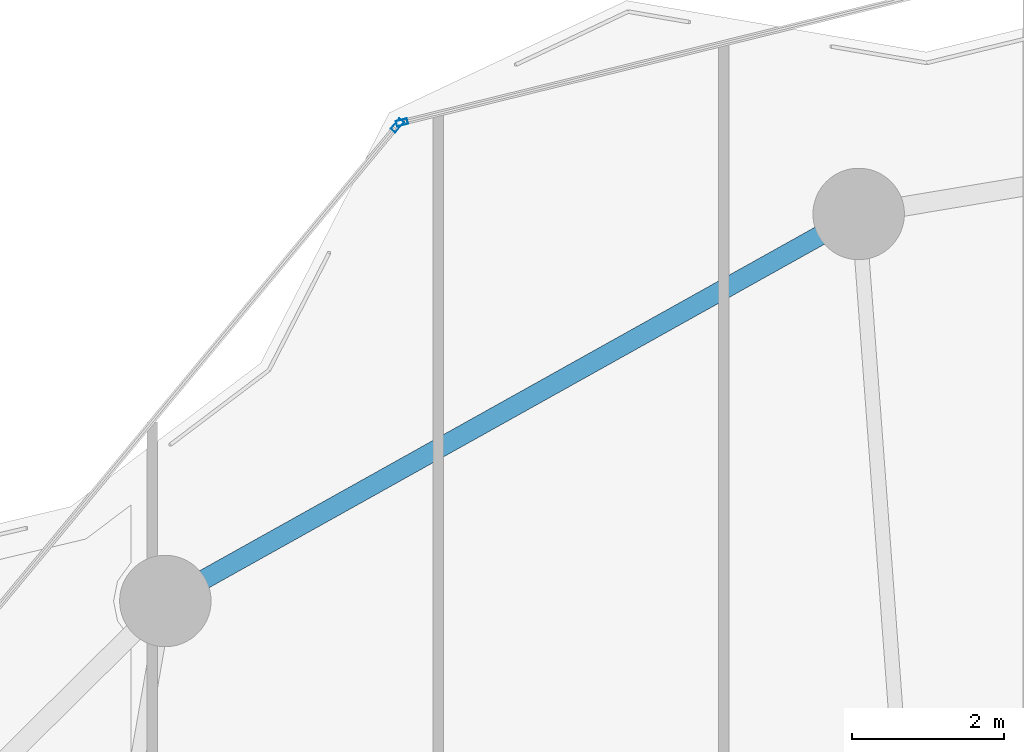
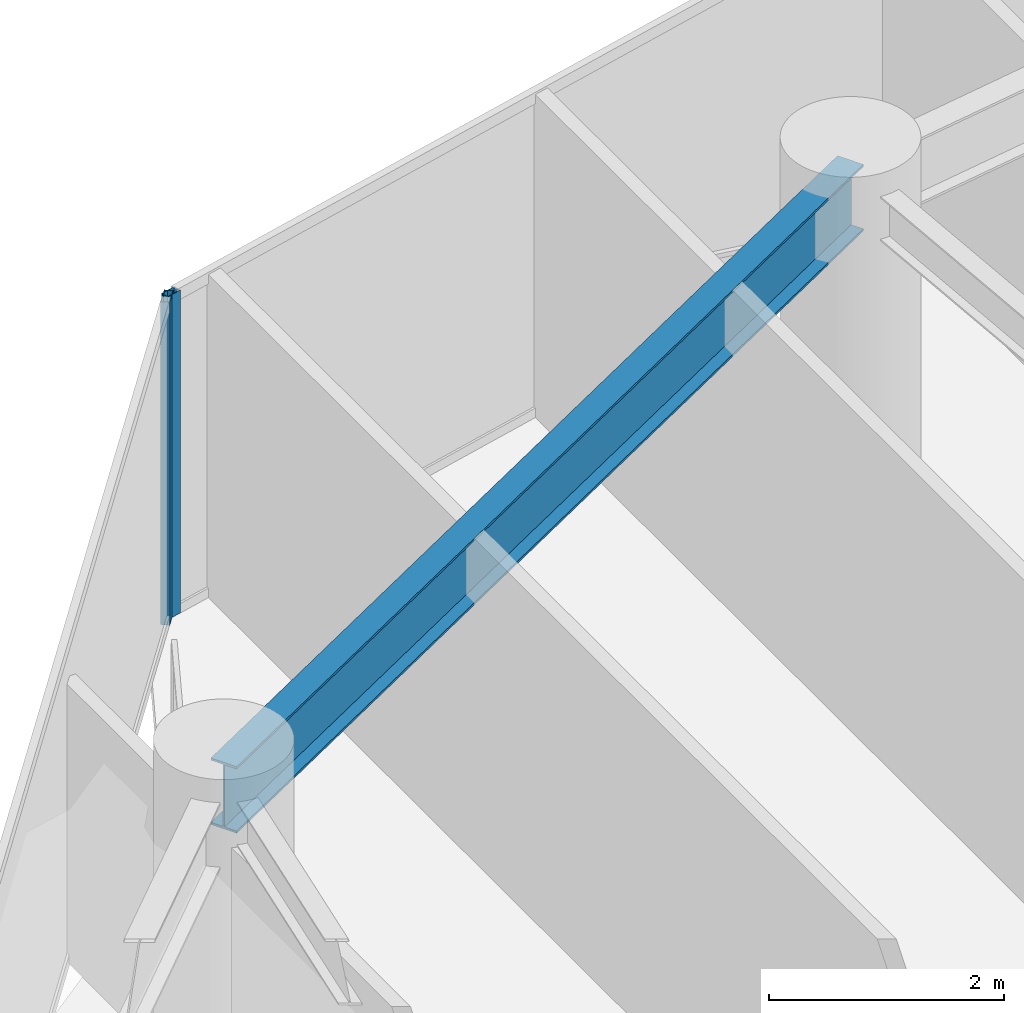
# One storey, part 17 of 28: 2 members, 1 beam, 2 elements without a shape of their own.
"""IFC4 building model written with IfcOpenShell, lengths in metres."""

import ifcopenshell
import ifcopenshell.guid

model = None  # the IFC model being written
_history = None  # IfcOwnerHistory: only IFC2X3 demands one
_inside = {}  # id of a spatial element -> (the spatial element, [elements in it])
_under = {}  # id of a project, library or spatial element -> (it, [spatial elements below it])
_declared = {}  # id of a project -> (the project, [libraries it declares])
_typed = {}  # id of a type object -> (the type object, [elements of that type])
_made_of = {}  # id of a material, layer set ... -> (it, [elements and type objects made of it])


def new_model(schema):
    """Start an empty IFC model of exactly this schema.

    Asked for "IFC4X3", IfcOpenShell would pick the latest addendum, in which some entities
    have other attributes; the version numbers below select the first issue.
    IFC2X3 requires an IfcOwnerHistory on every rooted entity: one is made here for all.
    """
    global model, _history
    if schema == "IFC4X3":
        model = ifcopenshell.file(schema_version=(4, 3, 0, 0))
    else:
        model = ifcopenshell.file(schema=schema)
    _inside.clear()
    _under.clear()
    _declared.clear()
    _typed.clear()
    _made_of.clear()
    _history = None
    if model.schema == "IFC2X3":
        org = make("IfcOrganization", Name="unknown")
        user = make(
            "IfcPersonAndOrganization",
            ThePerson=make("IfcPerson", FamilyName="unknown"),
            TheOrganization=org,
        )
        app = make(
            "IfcApplication",
            ApplicationDeveloper=org,
            Version="unknown",
            ApplicationFullName="unknown",
            ApplicationIdentifier="unknown",
        )
        _history = make(
            "IfcOwnerHistory",
            OwningUser=user,
            OwningApplication=app,
            ChangeAction="ADDED",
            CreationDate=0,
        )
    return model


def make(cls, **values):
    """One entity of the class cls with the attributes given. An attribute that is None is left unset."""
    return model.create_entity(
        cls, **{name: value for name, value in values.items() if value is not None}
    )


def rooted(cls, **values):
    """An entity with a GlobalId (a new one), such as an element, a storey or a relation."""
    return make(cls, GlobalId=ifcopenshell.guid.new(), OwnerHistory=_history, **values)


def si_unit(unit_type, name, prefix=None):
    """IfcSIUnit, for example si_unit("LENGTHUNIT", "METRE", prefix="MILLI")."""
    return make("IfcSIUnit", UnitType=unit_type, Prefix=prefix, Name=name)


def assignment(units):
    """IfcUnitAssignment: the units of a project."""
    return None if units is None else make("IfcUnitAssignment", Units=units)


def point(xyz):
    """IfcCartesianPoint."""
    return None if xyz is None else make("IfcCartesianPoint", Coordinates=xyz)


def direction(xyz):
    """IfcDirection."""
    return None if xyz is None else make("IfcDirection", DirectionRatios=xyz)


def frame(location, z_axis=None, x_axis=None):
    """IfcAxis2Placement3D, a coordinate frame: its origin and axes. An axis left out is left unset."""
    return make(
        "IfcAxis2Placement3D",
        Location=point(location),
        Axis=direction(z_axis),
        RefDirection=direction(x_axis),
    )


def frame_2d(location, x_axis=None):
    """IfcAxis2Placement2D, a coordinate frame in the plane: its origin and x axis."""
    return make(
        "IfcAxis2Placement2D", Location=point(location), RefDirection=direction(x_axis)
    )


def origin():
    """The frame at (0, 0, 0) with its axes left unset."""
    return frame((0.0, 0.0, 0.0))


def origin_2d():
    """The frame at (0, 0) in the plane with its x axis left unset."""
    return frame_2d((0.0, 0.0))


def place(relative_to, where):
    """IfcLocalPlacement: puts the frame where relative to a parent placement (None: the world)."""
    return make(
        "IfcLocalPlacement", PlacementRelTo=relative_to, RelativePlacement=where
    )


def context(
    kind, dimensions, precision=None, world=None, true_north=None, identifier=None
):
    """IfcGeometricRepresentationContext, for example the 3D "Model" context."""
    return make(
        "IfcGeometricRepresentationContext",
        ContextIdentifier=identifier,
        ContextType=kind,
        CoordinateSpaceDimension=dimensions,
        Precision=precision,
        WorldCoordinateSystem=world,
        TrueNorth=true_north,
    )


def subcontext(parent, identifier, kind, view, scale=None):
    """IfcGeometricRepresentationSubContext, for example "Body" below "Model"."""
    return make(
        "IfcGeometricRepresentationSubContext",
        ContextIdentifier=identifier,
        ContextType=kind,
        ParentContext=parent,
        TargetScale=scale,
        TargetView=view,
    )


def project(units=None, contexts=None):
    """IfcProject with its units and contexts."""
    return rooted(
        "IfcProject",
        Name="project",
        RepresentationContexts=contexts,
        UnitsInContext=assignment(units),
    )


def spatial(cls, under=None, at=None, **own):
    """A site, building, storey or space (cls), placed at a placement, below another one or the project."""
    s = rooted(cls, ObjectPlacement=at, **own)
    if under is not None:
        _under.setdefault(under.id(), (under, []))[1].append(s)
    return s


def profile(cls, at=None, kind="AREA", **sizes):
    """A parametric profile (cls). Its sizes go by their IFC names, for example OverallWidth=200.0."""
    return make(cls, ProfileType=kind, Position=at, **sizes)


def hollow_rectangle(**sizes):
    """IfcRectangleHollowProfileDef."""
    return profile("IfcRectangleHollowProfileDef", **sizes)


def i_section(**sizes):
    """IfcIShapeProfileDef."""
    return profile("IfcIShapeProfileDef", **sizes)


def extrude(swept, where, along, depth):
    """IfcExtrudedAreaSolid: the profile swept, set in the frame where, extruded along a direction by depth."""
    return make(
        "IfcExtrudedAreaSolid",
        SweptArea=swept,
        Position=where,
        ExtrudedDirection=direction(along),
        Depth=depth,
    )


def shape(context_of_items, identifier, shape_type, items):
    """IfcShapeRepresentation: the items that make up one representation, for example the "Body"."""
    return make(
        "IfcShapeRepresentation",
        ContextOfItems=context_of_items,
        RepresentationIdentifier=identifier,
        RepresentationType=shape_type,
        Items=items,
    )


def material(Name=None, Category=None):
    """IfcMaterial."""
    return make("IfcMaterial", Name=Name, Category=Category)


def layer(
    of_material, thickness, ventilated=None, Name=None, Category=None, Priority=None
):
    """IfcMaterialLayer: one layer of a wall or slab, of a material (None: an air gap)."""
    return make(
        "IfcMaterialLayer",
        Material=of_material,
        LayerThickness=thickness,
        IsVentilated=ventilated,
        Name=Name,
        Category=Category,
        Priority=Priority,
    )


def layer_set(layers, Name=None):
    """IfcMaterialLayerSet."""
    return make("IfcMaterialLayerSet", MaterialLayers=layers, LayerSetName=Name)


def material_profile(
    of_material, cross_section, Name=None, Category=None, Priority=None
):
    """IfcMaterialProfile: a cross section and its material."""
    return make(
        "IfcMaterialProfile",
        Name=Name,
        Material=of_material,
        Profile=cross_section,
        Priority=Priority,
        Category=Category,
    )


def profile_set(profiles, Name=None, composite=None):
    """IfcMaterialProfileSet."""
    return make(
        "IfcMaterialProfileSet",
        Name=Name,
        MaterialProfiles=profiles,
        CompositeProfile=composite,
    )


def made_of(thing, what):
    """Note that an element or type object is made of a material, layer set ...; save() writes the relation."""
    if what is not None:
        _made_of.setdefault(what.id(), (what, []))[1].append(thing)
    return thing


def type_object(cls, material=None, **own):
    """A type object (cls), such as IfcWallType, which elements share."""
    return made_of(rooted(cls, **own), material)


def element(
    cls,
    number,
    at=None,
    inside=None,
    cuts=None,
    type_object=None,
    material=None,
    context=None,
    identifier="Body",
    shape_type=None,
    held_by="IfcProductDefinitionShape",
    body=None,
    shapes=None,
    **own,
):
    """One element of the class cls, such as IfcWall. Its Tag is "e" and its number.

    at: its placement. inside: the storey or other place that contains it. cuts: it is an
    opening in that element (IfcRelVoidsElement). A single representation is given by context,
    identifier, shape_type and body (its items); several are given by shapes. held_by: the class
    of the entity that holds the representations. save() writes the other relations.
    """
    e = rooted(cls, Tag="e%d" % number, ObjectPlacement=at, **own)
    if body is not None:
        shapes = [shape(context, identifier, shape_type, body)]
    if shapes is not None:
        e.Representation = make(held_by, Representations=shapes)
    if inside is not None:
        _inside.setdefault(inside.id(), (inside, []))[1].append(e)
    if cuts is not None:
        rooted(
            "IfcRelVoidsElement", RelatingBuildingElement=cuts, RelatedOpeningElement=e
        )
    if type_object is not None:
        _typed.setdefault(type_object.id(), (type_object, []))[1].append(e)
    return made_of(e, material)


def aggregate(whole, parts):
    """IfcRelAggregates: a whole, such as a stair, and the parts it consists of."""
    return rooted("IfcRelAggregates", RelatingObject=whole, RelatedObjects=parts)


def save(model, path):
    """Write the relations noted so far, then the file.

    IfcRelAggregates (storeys below a building ...), IfcRelContainedInSpatialStructure (elements
    in a storey), IfcRelDefinesByType, IfcRelAssociatesMaterial and IfcRelDeclares: one each for
    every whole, place, type object, material and project.
    """
    for whole, parts in _under.values():
        aggregate(whole, parts)
    for where, things in _inside.values():
        rooted(
            "IfcRelContainedInSpatialStructure",
            RelatedElements=things,
            RelatingStructure=where,
        )
    for kind, things in _typed.values():
        rooted("IfcRelDefinesByType", RelatedObjects=things, RelatingType=kind)
    for what, things in _made_of.values():
        rooted("IfcRelAssociatesMaterial", RelatedObjects=things, RelatingMaterial=what)
    for by, libraries in _declared.values():
        rooted("IfcRelDeclares", RelatingContext=by, RelatedDefinitions=libraries)
    model.write(path)


model = new_model("IFC4")

# Units and contexts
model_context = context("Model", 3, precision=1e-05, world=origin(), true_north=direction((0.0, 1.0)))
body_context = subcontext(model_context, "Body", "Model", "MODEL_VIEW")
ifc_project = project(units=[si_unit("LENGTHUNIT", "METRE"), si_unit("AREAUNIT", "SQUARE_METRE"), si_unit("VOLUMEUNIT", "CUBIC_METRE"), si_unit("PLANEANGLEUNIT", "RADIAN"), si_unit("MASSUNIT", "GRAM", prefix="KILO")], contexts=[model_context])

# Site, building, storey
site_placement = place(None, origin())
site = spatial("IfcSite", under=ifc_project, at=site_placement, CompositionType="ELEMENT")
building_placement = place(site_placement, origin())
building = spatial("IfcBuilding", under=site, at=building_placement, Name="Kazevale Care Tower and Concert Hall", CompositionType="ELEMENT")
storey_placement = place(building_placement, frame((0.0, 0.0, 120.60009765625)))
storey = spatial("IfcBuildingStorey", under=building, at=storey_placement, Name="L31", CompositionType="ELEMENT", Elevation=120.60009765625)

# Curtain wall, member
ifc_material_1 = material(Name="Aluminium 6063-T6 and Low-E Glass", Category="aluminium")
ifc_layer_1 = layer(ifc_material_1, 0.179931640625)
ifc_layer_set_1 = layer_set([ifc_layer_1], Name="Aluminium 6063-T6 and Low-E Glass")
curtain_wall_type_1 = type_object("IfcCurtainWallType", Name="Convex Checkerboard Finned Curtain Wall CW-2", PredefinedType="NOTDEFINED", material=ifc_layer_set_1)
curtain_wall_1_placement = place(storey_placement, origin())
curtain_wall_1 = element("IfcCurtainWall", 1, at=curtain_wall_1_placement, inside=storey, type_object=curtain_wall_type_1, Name="cw:L31:f14", PredefinedType="NOTDEFINED")
ifc_material_2 = material(Name="Aluminium 6063-T6", Category="aluminium")
ifc_material_profile_1 = material_profile(ifc_material_2, hollow_rectangle(XDim=0.080078125, YDim=0.179931640625, WallThickness=0.0048828125, at=origin_2d()), Name="ALU80x180x5")
ifc_profile_set_1 = profile_set([ifc_material_profile_1], Name="Aluminium 6063-T6")
member_type_1 = type_object("IfcMemberType", Name="CW-2 Mullion ALU80x180x5", PredefinedType="MULLION", material=ifc_profile_set_1)
member_1_placement = place(storey_placement, frame((28.214599609375, 60.8212890625, 0.0), z_axis=(0.0, 0.0, 1.0), x_axis=(-0.770049579196, 0.637984048061, 0.0)))
member_1 = element("IfcMember", 2, at=member_1_placement, type_object=member_type_1, Name="CW-2 mullion 2", PredefinedType="MULLION", context=body_context, shape_type="SweptSolid", body=[
    extrude(hollow_rectangle(XDim=0.080078125, YDim=0.179931640625, WallThickness=0.0048828125, at=origin_2d()), origin(), (0.0, 0.0, 1.0), 3.35986328125),
])
aggregate(curtain_wall_1, [member_1])

ifc_layer_2 = layer(ifc_material_1, 0.179931640625)
ifc_layer_set_2 = layer_set([ifc_layer_2], Name="Aluminium 6063-T6 and Low-E Glass")
curtain_wall_type_2 = type_object("IfcCurtainWallType", Name="Convex Recessed Sunroom Curtain Wall CW-3", PredefinedType="NOTDEFINED", material=ifc_layer_set_2)
curtain_wall_2_placement = place(storey_placement, origin())
curtain_wall_2 = element("IfcCurtainWall", 3, at=curtain_wall_2_placement, inside=storey, type_object=curtain_wall_type_2, Name="cw:L31:f15", PredefinedType="NOTDEFINED")
ifc_material_profile_2 = material_profile(ifc_material_2, hollow_rectangle(XDim=0.074951171875, YDim=0.14990234375, WallThickness=0.00390625, at=origin_2d()), Name="ALU75x150x4")
ifc_profile_set_2 = profile_set([ifc_material_profile_2], Name="Aluminium 6063-T6")
member_type_2 = type_object("IfcMemberType", Name="CW-3 Mullion ALU75x150x4", PredefinedType="MULLION", material=ifc_profile_set_2)
member_2_placement = place(storey_placement, frame((28.2763671875, 60.861083984375, 0.0), z_axis=(0.0, 0.0, 1.0), x_axis=(-0.239088999495, 0.970997657217, 0.0)))
member_2 = element("IfcMember", 4, at=member_2_placement, type_object=member_type_2, Name="CW-3 mullion 1", PredefinedType="MULLION", context=body_context, shape_type="SweptSolid", body=[
    extrude(hollow_rectangle(XDim=0.074951171875, YDim=0.14990234375, WallThickness=0.00390625, at=origin_2d()), origin(), (0.0, 0.0, 1.0), 3.35986328125),
])
aggregate(curtain_wall_2, [member_2])

# Beam
ifc_material_3 = material(Name="Steel ASTM A572 Gr 50", Category="steel")
ifc_material_profile_3 = material_profile(ifc_material_3, i_section(OverallWidth=0.256103515625, OverallDepth=0.693115234375, WebThickness=0.014404296875, FlangeThickness=0.023681640625, at=origin_2d()), Name="W690x170")
ifc_profile_set_3 = profile_set([ifc_material_profile_3], Name="Steel ASTM A572 Gr 50")
beam_type = type_object("IfcBeamType", Name="Waist Ring Beam W690x170", PredefinedType="BEAM", material=ifc_profile_set_3)
beam_placement = place(storey_placement, frame((34.27001953125, 59.659912109375, 3.013427734375), z_axis=(-0.873168720251, -0.487418081297, 0.0), x_axis=(0.487418081297, -0.873168720251, 0.0)))
element("IfcBeam", 5, at=beam_placement, inside=storey, type_object=beam_type, Name="beam:L31:ring:06", PredefinedType="BEAM", context=body_context, shape_type="SweptSolid", body=[
    extrude(i_section(OverallWidth=0.256103515625, OverallDepth=0.693115234375, WebThickness=0.014404296875, FlangeThickness=0.023681640625, at=origin_2d()), origin(), (0.0, 0.0, 1.0), 10.421875),
])

save(model, "model.ifc")
